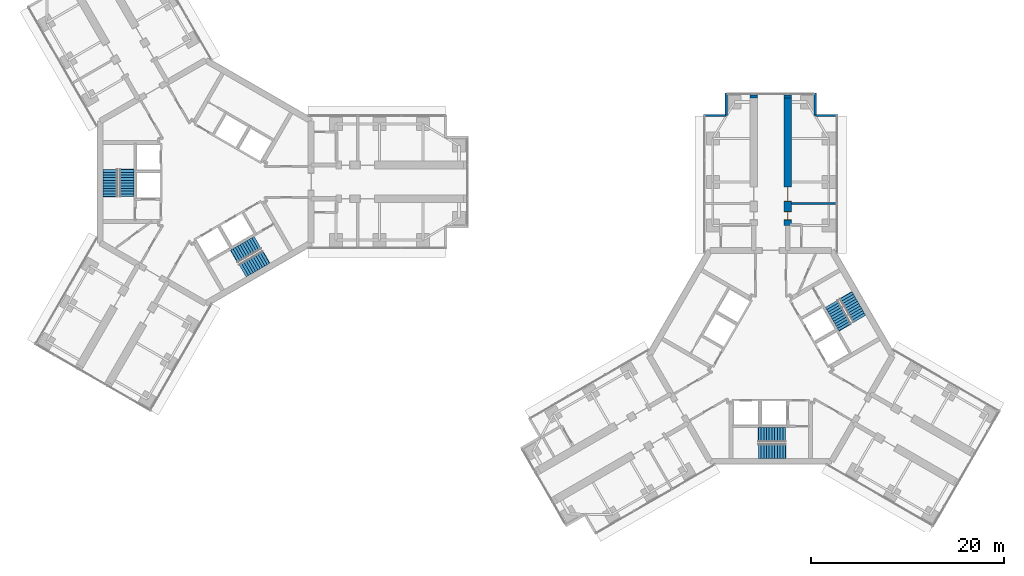
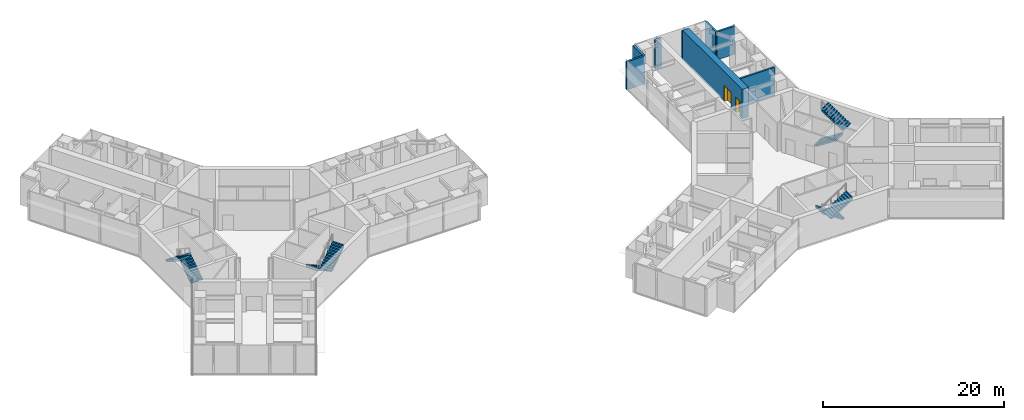
# One storey, part 20 of 21: 8 stair flights, 8 walls, 2 doors, 2 openings, 4 elements without a shape of their own.
"""IFC4 building model written with IfcOpenShell, lengths in metres."""

from ifc_helpers import new_model, si_unit, direction, frame, frame_2d, origin, place, context, subcontext, project, spatial, polyline, rectangle, outline, extrude, material, layer, layer_set, type_object, element, fill, aggregate, save


model = new_model("IFC4")

# Units and contexts
model_context = context("Model", 3, precision=1e-05, world=origin(), true_north=direction((0.0, 1.0)))
body_context = subcontext(model_context, "Body", "Model", "MODEL_VIEW")
ifc_project = project(units=[si_unit("LENGTHUNIT", "METRE"), si_unit("AREAUNIT", "SQUARE_METRE"), si_unit("VOLUMEUNIT", "CUBIC_METRE"), si_unit("PLANEANGLEUNIT", "RADIAN"), si_unit("MASSUNIT", "GRAM", prefix="KILO")], contexts=[model_context])

# Site, building, storey
site_placement = place(None, origin())
site = spatial("IfcSite", under=ifc_project, at=site_placement, CompositionType="ELEMENT")
building_placement = place(site_placement, origin())
building = spatial("IfcBuilding", under=site, at=building_placement, Name="Upepo Twin Towers", CompositionType="ELEMENT")
storey_placement = place(building_placement, frame((0.0, 0.0, 105.5)))
storey = spatial("IfcBuildingStorey", under=building, at=storey_placement, Name="L25", CompositionType="ELEMENT", Elevation=105.5)

# Walls
ifc_material_1 = material(Name="Concrete blockwork, plastered both faces", Category="masonry")
ifc_layer_1 = layer(ifc_material_1, 0.215087890625)
ifc_layer_set_1 = layer_set([ifc_layer_1], Name="Blockwork partition 215")
wall_type_1 = type_object("IfcWallType", Name="Blockwork partition 215", PredefinedType="PARTITIONING", material=ifc_layer_set_1)
wall_1_placement = place(storey_placement, frame((60.64990234375, -2.25, 0.0), z_axis=(0.0, 0.0, 1.0), x_axis=(1.0, 0.0, 0.0)))
element("IfcWall", 1, at=wall_1_placement, inside=storey, type_object=wall_type_1, Name="T2 partition AR at 15.75", PredefinedType="PARTITIONING", context=body_context, shape_type="SweptSolid", body=[
    extrude(rectangle(XDim=4.60009765625, YDim=0.215087890625, at=frame_2d((2.300048828125, 0.0))), origin(), (0.0, 0.0, 1.0), 3.800048828125),
])
ifc_material_2 = material(Name="Dense concrete blockwork", Category="masonry")
ifc_layer_2 = layer(ifc_material_2, 0.800048828125)
ifc_layer_set_2 = layer_set([ifc_layer_2], Name="Buttress closer 800, blockwork with fire-stopping to the curtain wall")
wall_type_2 = type_object("IfcWallType", Name="Buttress closer 800, blockwork with fire-stopping to the curtain wall", PredefinedType="PARTITIONING", material=ifc_layer_set_2)
for number, where, z_axis, x_axis, name in (
    (2, (56.75, 8.699951171875, 0.0), (0.0, 0.0, 1.0), (0.0, 1.0, 0.0), "T2 L25 wing A buttress closer L"),
    (3, (60.25, 8.699951171875, 0.0), (0.0, 0.0, 1.0), (0.0, 1.0, 0.0), "T2 L25 wing A buttress closer R"),
):
    element("IfcWall", number, at=place(storey_placement, frame(where, z_axis=z_axis, x_axis=x_axis)), inside=storey, type_object=wall_type_2, Name=name, PredefinedType="PARTITIONING", context=body_context, shape_type="SweptSolid", body=[
        extrude(rectangle(XDim=0.300048828125, YDim=0.800048828125, at=frame_2d((0.14990234375, 0.0))), origin(), (0.0, 0.0, 1.0), 3.800048828125),
    ])

# Wall, openings, doors
ifc_material_3 = material(Name="Concrete C60/75", Category="concrete")
ifc_layer_3 = layer(ifc_material_3, 0.800048828125)
ifc_layer_set_3 = layer_set([ifc_layer_3], Name="Concrete C60/75")
wall_type_3 = type_object("IfcWallType", Name="Buttress wall 800 RC", PredefinedType="SHEAR", material=ifc_layer_set_3)
wall_2_placement = place(storey_placement, frame((60.25, -4.5, 0.0), z_axis=(0.0, 0.0, 1.0), x_axis=(0.0, 1.0, 0.0)))
wall_2 = element("IfcWall", 4, at=wall_2_placement, inside=storey, type_object=wall_type_3, Name="T2 wing A buttress wall R part 2", PredefinedType="SHEAR", context=body_context, shape_type="SweptSolid", body=[
    extrude(rectangle(XDim=13.199951171875, YDim=0.800048828125, at=frame_2d((6.60009765625, 0.0))), origin(), (0.0, 0.0, 1.0), 4.0),
])
opening_1_placement = place(wall_2_placement, frame((0.550048828125, 0.0, 0.0)))
opening_1 = element("IfcOpeningElement", 5, at=opening_1_placement, cuts=wall_2, Name="Opening D11", PredefinedType="OPENING", context=body_context, shape_type="SweptSolid", body=[
    extrude(rectangle(XDim=0.89990234375, YDim=2.10009765625, at=frame_2d((0.449951171875, 1.050048828125))), frame((0.0, 0.409912109375, 0.0), z_axis=(0.0, -1.0, 0.0), x_axis=(1.0, 0.0, 0.0)), (0.0, 0.0, 1.0), 0.820068359375),
])
opening_2_placement = place(wall_2_placement, frame((2.5, 0.0, 0.0)))
opening_2 = element("IfcOpeningElement", 6, at=opening_2_placement, cuts=wall_2, Name="Opening D13", PredefinedType="OPENING", context=body_context, shape_type="SweptSolid", body=[
    extrude(rectangle(XDim=1.5, YDim=2.10009765625, at=frame_2d((0.75, 1.050048828125))), frame((0.0, 0.409912109375, 0.0), z_axis=(0.0, -1.0, 0.0), x_axis=(1.0, 0.0, 0.0)), (0.0, 0.0, 1.0), 0.820068359375),
])
ifc_material_4 = material(Name="Timber doorset", Category="wood")
door_type_1 = type_object("IfcDoorType", Name="Double door 1500 FD30", OperationType="DOUBLE_DOOR_SINGLE_SWING", PredefinedType="DOOR", material=ifc_material_4)
door_1_placement = place(opening_2_placement, origin())
door_1 = element("IfcDoor", 7, at=door_1_placement, inside=storey, type_object=door_type_1, Name="T2 L25 moot court door", OperationType="DOUBLE_DOOR_SINGLE_SWING", OverallHeight=2.10009765625, OverallWidth=1.5, PredefinedType="DOOR", context=body_context, shape_type="SweptSolid", body=[
    extrude(rectangle(XDim=1.42, YDim=2.06009765625, at=frame_2d((0.75, 1.030029296875))), frame((0.0, 0.02490234375, 0.0), z_axis=(0.0, -1.0, 0.0), x_axis=(1.0, 0.0, 0.0)), (0.0, 0.0, 1.0), 0.050048828125),
    extrude(rectangle(XDim=0.04, YDim=2.10009765625, at=frame_2d((0.02001953125, 1.050048828125))), frame((0.0, 0.39990234375, 0.0), z_axis=(0.0, -1.0, 0.0), x_axis=(1.0, 0.0, 0.0)), (0.0, 0.0, 1.0), 0.799560546875),
    extrude(rectangle(XDim=0.04, YDim=2.10009765625, at=frame_2d((1.47998046875, 1.050048828125))), frame((0.0, 0.39990234375, 0.0), z_axis=(0.0, -1.0, 0.0), x_axis=(1.0, 0.0, 0.0)), (0.0, 0.0, 1.0), 0.799560546875),
    extrude(rectangle(XDim=1.42, YDim=0.04, at=frame_2d((0.75, 2.080078125))), frame((0.0, 0.39990234375, 0.0), z_axis=(0.0, -1.0, 0.0), x_axis=(1.0, 0.0, 0.0)), (0.0, 0.0, 1.0), 0.799560546875),
])
fill(opening_2, door_1)
ifc_material_5 = material(Name="Timber doorset", Category="wood")
door_type_2 = type_object("IfcDoorType", Name="Toilet door 900", OperationType="SINGLE_SWING_LEFT", PredefinedType="DOOR", material=ifc_material_5)
door_2_placement = place(opening_1_placement, origin())
door_2 = element("IfcDoor", 8, at=door_2_placement, inside=storey, type_object=door_type_2, Name="T2 L25 toilets door", OperationType="SINGLE_SWING_LEFT", OverallHeight=2.10009765625, OverallWidth=0.89990234375, PredefinedType="DOOR", context=body_context, shape_type="SweptSolid", body=[
    extrude(rectangle(XDim=0.81990234375, YDim=2.06009765625, at=frame_2d((0.449951171875, 1.030029296875))), frame((0.0, 0.02490234375, 0.0), z_axis=(0.0, -1.0, 0.0), x_axis=(1.0, 0.0, 0.0)), (0.0, 0.0, 1.0), 0.050048828125),
    extrude(rectangle(XDim=0.04, YDim=2.10009765625, at=frame_2d((0.02001953125, 1.050048828125))), frame((0.0, 0.39990234375, 0.0), z_axis=(0.0, -1.0, 0.0), x_axis=(1.0, 0.0, 0.0)), (0.0, 0.0, 1.0), 0.799560546875),
    extrude(rectangle(XDim=0.04, YDim=2.10009765625, at=frame_2d((0.8798828125, 1.050048828125))), frame((0.0, 0.39990234375, 0.0), z_axis=(0.0, -1.0, 0.0), x_axis=(1.0, 0.0, 0.0)), (0.0, 0.0, 1.0), 0.799560546875),
    extrude(rectangle(XDim=0.81990234375, YDim=0.04, at=frame_2d((0.449951171875, 2.080078125))), frame((0.0, 0.39990234375, 0.0), z_axis=(0.0, -1.0, 0.0), x_axis=(1.0, 0.0, 0.0)), (0.0, 0.0, 1.0), 0.799560546875),
])
fill(opening_1, door_2)

# Walls
ifc_material_6 = material(Name="Blockwork with anodised aluminium cladding", Category="masonry")
ifc_layer_4 = layer(ifc_material_6, 0.25)
ifc_layer_set_4 = layer_set([ifc_layer_4], Name="Notch cladding wall 250, pale metal")
wall_type_4 = type_object("IfcWallType", Name="Notch cladding wall 250, pale metal", PredefinedType="STANDARD", material=ifc_layer_set_4)
for number, where, z_axis, x_axis, name in (
    (9, (51.550048828125, 6.875, 0.0), (0.0, 0.0, 1.0), (1.0, 0.0, 0.0), "T2 L25 wing A notch wall L1"),
    (10, (53.875, 6.875, 0.0), (0.0, 0.0, 1.0), (0.0, 1.0, 0.0), "T2 L25 wing A notch wall L2"),
    (11, (65.449951171875, 6.875, 0.0), (0.0, 0.0, 1.0), (-1.0, 0.0, 0.0), "T2 L25 wing A notch wall R1"),
    (12, (63.125, 6.875, 0.0), (0.0, 0.0, 1.0), (0.0, 1.0, 0.0), "T2 L25 wing A notch wall R2"),
):
    element("IfcWall", number, at=place(storey_placement, frame(where, z_axis=z_axis, x_axis=x_axis)), inside=storey, type_object=wall_type_4, Name=name, PredefinedType="STANDARD", context=body_context, shape_type="SweptSolid", body=[
        extrude(rectangle(XDim=2.324951171875, YDim=0.25, at=frame_2d((1.16259765625, 0.0))), origin(), (0.0, 0.0, 1.0), 3.800048828125),
    ])

# Stair, stair flights
ifc_material_7 = material(Name="Concrete C40/50", Category="concrete")
stair_type = type_object("IfcStairType", Name="Core stair, two flights", PredefinedType="HALF_TURN_STAIR", material=ifc_material_7)
stair_1_placement = place(storey_placement, origin())
stair_1 = element("IfcStair", 13, at=stair_1_placement, inside=storey, type_object=stair_type, Name="T1 stair S1 L25", PredefinedType="HALF_TURN_STAIR")
ifc_material_8 = material(Name="Concrete C40/50", Category="concrete")
stair_flight_type = type_object("IfcStairFlightType", Name="Stair flight 1500 RC", PredefinedType="STRAIGHT", material=ifc_material_8)
stair_flight_1_placement = place(storey_placement, frame((-8.14990234375, -1.52001953125, 0.0), z_axis=(0.0, 0.0, 1.0), x_axis=(0.0, 1.0, 0.0)))
stair_flight_1 = element("IfcStairFlight", 14, at=stair_flight_1_placement, type_object=stair_flight_type, Name="Stair S1 flight 1", NumberOfRisers=11, NumberOfTreads=10, PredefinedType="STRAIGHT", RiserHeight=0.181818182, TreadLength=0.28, context=body_context, shape_type="SweptSolid", body=[
    extrude(outline(polyline([(0.0, 0.0), (0.0, 0.181884765625), (0.280029296875, 0.181884765625), (0.280029296875, 0.363525390625), (0.56005859375, 0.363525390625), (0.56005859375, 0.54541015625), (0.840087890625, 0.54541015625), (0.840087890625, 0.727294921875), (1.1201171875, 0.727294921875), (1.1201171875, 0.9091796875), (1.39990234375, 0.9091796875), (1.39990234375, 1.0908203125), (1.679931640625, 1.0908203125), (1.679931640625, 1.272705078125), (1.9599609375, 1.272705078125), (1.9599609375, 1.45458984375), (2.239990234375, 1.45458984375), (2.239990234375, 1.636474609375), (2.52001953125, 1.636474609375), (2.52001953125, 1.818115234375), (2.800048828125, 1.818115234375), (2.800048828125, 2.0), (2.85009765625, 2.0), (2.85009765625, 1.639404296875), (0.3251953125, 0.0), (0.0, 0.0)])), frame((0.0, 0.75, 0.0), z_axis=(0.0, -1.0, 0.0), x_axis=(1.0, 0.0, 0.0)), (0.0, 0.0, 1.0), 1.5),
])
stair_flight_2_placement = place(storey_placement, frame((-9.8583984375, 1.280029296875, 2.0), z_axis=(0.0, 0.0, 1.0), x_axis=(0.0, -1.0, 0.0)))
stair_flight_2 = element("IfcStairFlight", 15, at=stair_flight_2_placement, type_object=stair_flight_type, Name="Stair S1 flight 2", NumberOfRisers=11, NumberOfTreads=10, PredefinedType="STRAIGHT", RiserHeight=0.181818182, TreadLength=0.28, context=body_context, shape_type="SweptSolid", body=[
    extrude(outline(polyline([(0.0, 0.0), (0.0, 0.181884765625), (0.280029296875, 0.181884765625), (0.280029296875, 0.363525390625), (0.56005859375, 0.363525390625), (0.56005859375, 0.54541015625), (0.840087890625, 0.54541015625), (0.840087890625, 0.727294921875), (1.1201171875, 0.727294921875), (1.1201171875, 0.9091796875), (1.39990234375, 0.9091796875), (1.39990234375, 1.0908203125), (1.679931640625, 1.0908203125), (1.679931640625, 1.272705078125), (1.9599609375, 1.272705078125), (1.9599609375, 1.45458984375), (2.239990234375, 1.45458984375), (2.239990234375, 1.636474609375), (2.52001953125, 1.636474609375), (2.52001953125, 1.818115234375), (2.800048828125, 1.818115234375), (2.800048828125, 2.0), (2.85009765625, 2.0), (2.85009765625, 1.639404296875), (0.3251953125, 0.0), (0.0, 0.0)])), frame((0.0, 0.75, 0.0), z_axis=(0.0, -1.0, 0.0), x_axis=(1.0, 0.0, 0.0)), (0.0, 0.0, 1.0), 1.5),
])
aggregate(stair_1, [stair_flight_1, stair_flight_2])

stair_2_placement = place(storey_placement, origin())
stair_2 = element("IfcStair", 16, at=stair_2_placement, inside=storey, type_object=stair_type, Name="T1 stair S2 L25", PredefinedType="HALF_TURN_STAIR")
stair_flight_3_placement = place(storey_placement, frame((5.391357421875, -6.298095703125, 0.0), z_axis=(0.0, 0.0, 1.0), x_axis=(-0.866025403784, -0.5, 0.0)))
stair_flight_3 = element("IfcStairFlight", 17, at=stair_flight_3_placement, type_object=stair_flight_type, Name="Stair S2 flight 1", NumberOfRisers=11, NumberOfTreads=10, PredefinedType="STRAIGHT", RiserHeight=0.181818182, TreadLength=0.28, context=body_context, shape_type="SweptSolid", body=[
    extrude(outline(polyline([(0.0, 0.0), (0.0, 0.181884765625), (0.280029296875, 0.181884765625), (0.280029296875, 0.363525390625), (0.56005859375, 0.363525390625), (0.56005859375, 0.54541015625), (0.840087890625, 0.54541015625), (0.840087890625, 0.727294921875), (1.1201171875, 0.727294921875), (1.1201171875, 0.9091796875), (1.39990234375, 0.9091796875), (1.39990234375, 1.0908203125), (1.679931640625, 1.0908203125), (1.679931640625, 1.272705078125), (1.9599609375, 1.272705078125), (1.9599609375, 1.45458984375), (2.239990234375, 1.45458984375), (2.239990234375, 1.636474609375), (2.52001953125, 1.636474609375), (2.52001953125, 1.818115234375), (2.800048828125, 1.818115234375), (2.800048828125, 2.0), (2.85009765625, 2.0), (2.85009765625, 1.639404296875), (0.3251953125, 0.0), (0.0, 0.0)])), frame((0.0, 0.75, 0.0), z_axis=(0.0, -1.0, 0.0), x_axis=(1.0, 0.0, 0.0)), (0.0, 0.0, 1.0), 1.5),
])
stair_flight_4_placement = place(storey_placement, frame((3.820556640625, -9.177490234375, 2.0), z_axis=(0.0, 0.0, 1.0), x_axis=(0.866025403784, 0.5, 0.0)))
stair_flight_4 = element("IfcStairFlight", 18, at=stair_flight_4_placement, type_object=stair_flight_type, Name="Stair S2 flight 2", NumberOfRisers=11, NumberOfTreads=10, PredefinedType="STRAIGHT", RiserHeight=0.181818182, TreadLength=0.28, context=body_context, shape_type="SweptSolid", body=[
    extrude(outline(polyline([(0.0, 0.0), (0.0, 0.181884765625), (0.280029296875, 0.181884765625), (0.280029296875, 0.363525390625), (0.56005859375, 0.363525390625), (0.56005859375, 0.54541015625), (0.840087890625, 0.54541015625), (0.840087890625, 0.727294921875), (1.1201171875, 0.727294921875), (1.1201171875, 0.9091796875), (1.39990234375, 0.9091796875), (1.39990234375, 1.0908203125), (1.679931640625, 1.0908203125), (1.679931640625, 1.272705078125), (1.9599609375, 1.272705078125), (1.9599609375, 1.45458984375), (2.239990234375, 1.45458984375), (2.239990234375, 1.636474609375), (2.52001953125, 1.636474609375), (2.52001953125, 1.818115234375), (2.800048828125, 1.818115234375), (2.800048828125, 2.0), (2.85009765625, 2.0), (2.85009765625, 1.639404296875), (0.3251953125, 0.0), (0.0, 0.0)])), frame((0.0, 0.75, 0.0), z_axis=(0.0, -1.0, 0.0), x_axis=(1.0, 0.0, 0.0)), (0.0, 0.0, 1.0), 1.5),
])
aggregate(stair_2, [stair_flight_3, stair_flight_4])

stair_3_placement = place(storey_placement, origin())
stair_3 = element("IfcStair", 19, at=stair_3_placement, inside=storey, type_object=stair_type, Name="T2 stair S1 L25", PredefinedType="HALF_TURN_STAIR")
stair_flight_5_placement = place(storey_placement, frame((60.02001953125, -26.14990234375, 0.0), z_axis=(0.0, 0.0, 1.0), x_axis=(-1.0, 0.0, 0.0)))
stair_flight_5 = element("IfcStairFlight", 20, at=stair_flight_5_placement, type_object=stair_flight_type, Name="Stair S1 flight 1", NumberOfRisers=11, NumberOfTreads=10, PredefinedType="STRAIGHT", RiserHeight=0.181818182, TreadLength=0.28, context=body_context, shape_type="SweptSolid", body=[
    extrude(outline(polyline([(0.0, 0.0), (0.0, 0.181884765625), (0.280029296875, 0.181884765625), (0.280029296875, 0.363525390625), (0.56005859375, 0.363525390625), (0.56005859375, 0.54541015625), (0.840087890625, 0.54541015625), (0.840087890625, 0.727294921875), (1.1201171875, 0.727294921875), (1.1201171875, 0.9091796875), (1.39990234375, 0.9091796875), (1.39990234375, 1.0908203125), (1.679931640625, 1.0908203125), (1.679931640625, 1.272705078125), (1.9599609375, 1.272705078125), (1.9599609375, 1.45458984375), (2.239990234375, 1.45458984375), (2.239990234375, 1.636474609375), (2.52001953125, 1.636474609375), (2.52001953125, 1.818115234375), (2.800048828125, 1.818115234375), (2.800048828125, 2.0), (2.85009765625, 2.0), (2.85009765625, 1.639404296875), (0.3251953125, 0.0), (0.0, 0.0)])), frame((0.0, 0.75, 0.0), z_axis=(0.0, -1.0, 0.0), x_axis=(1.0, 0.0, 0.0)), (0.0, 0.0, 1.0), 1.5),
])
stair_flight_6_placement = place(storey_placement, frame((57.219970703125, -27.8583984375, 2.0), z_axis=(0.0, 0.0, 1.0), x_axis=(1.0, 0.0, 0.0)))
stair_flight_6 = element("IfcStairFlight", 21, at=stair_flight_6_placement, type_object=stair_flight_type, Name="Stair S1 flight 2", NumberOfRisers=11, NumberOfTreads=10, PredefinedType="STRAIGHT", RiserHeight=0.181818182, TreadLength=0.28, context=body_context, shape_type="SweptSolid", body=[
    extrude(outline(polyline([(0.0, 0.0), (0.0, 0.181884765625), (0.280029296875, 0.181884765625), (0.280029296875, 0.363525390625), (0.56005859375, 0.363525390625), (0.56005859375, 0.54541015625), (0.840087890625, 0.54541015625), (0.840087890625, 0.727294921875), (1.1201171875, 0.727294921875), (1.1201171875, 0.9091796875), (1.39990234375, 0.9091796875), (1.39990234375, 1.0908203125), (1.679931640625, 1.0908203125), (1.679931640625, 1.272705078125), (1.9599609375, 1.272705078125), (1.9599609375, 1.45458984375), (2.239990234375, 1.45458984375), (2.239990234375, 1.636474609375), (2.52001953125, 1.636474609375), (2.52001953125, 1.818115234375), (2.800048828125, 1.818115234375), (2.800048828125, 2.0), (2.85009765625, 2.0), (2.85009765625, 1.639404296875), (0.3251953125, 0.0), (0.0, 0.0)])), frame((0.0, 0.75, 0.0), z_axis=(0.0, -1.0, 0.0), x_axis=(1.0, 0.0, 0.0)), (0.0, 0.0, 1.0), 1.5),
])
aggregate(stair_3, [stair_flight_5, stair_flight_6])

stair_4_placement = place(storey_placement, origin())
stair_4 = element("IfcStair", 22, at=stair_4_placement, inside=storey, type_object=stair_type, Name="T2 stair S2 L25", PredefinedType="HALF_TURN_STAIR")
stair_flight_7_placement = place(storey_placement, frame((64.798095703125, -12.608642578125, 0.0), z_axis=(0.0, 0.0, 1.0), x_axis=(0.5, -0.866025403784, 0.0)))
stair_flight_7 = element("IfcStairFlight", 23, at=stair_flight_7_placement, type_object=stair_flight_type, Name="Stair S2 flight 1", NumberOfRisers=11, NumberOfTreads=10, PredefinedType="STRAIGHT", RiserHeight=0.181818182, TreadLength=0.28, context=body_context, shape_type="SweptSolid", body=[
    extrude(outline(polyline([(0.0, 0.0), (0.0, 0.181884765625), (0.280029296875, 0.181884765625), (0.280029296875, 0.363525390625), (0.56005859375, 0.363525390625), (0.56005859375, 0.54541015625), (0.840087890625, 0.54541015625), (0.840087890625, 0.727294921875), (1.1201171875, 0.727294921875), (1.1201171875, 0.9091796875), (1.39990234375, 0.9091796875), (1.39990234375, 1.0908203125), (1.679931640625, 1.0908203125), (1.679931640625, 1.272705078125), (1.9599609375, 1.272705078125), (1.9599609375, 1.45458984375), (2.239990234375, 1.45458984375), (2.239990234375, 1.636474609375), (2.52001953125, 1.636474609375), (2.52001953125, 1.818115234375), (2.800048828125, 1.818115234375), (2.800048828125, 2.0), (2.85009765625, 2.0), (2.85009765625, 1.639404296875), (0.3251953125, 0.0), (0.0, 0.0)])), frame((0.0, 0.75, 0.0), z_axis=(0.0, -1.0, 0.0), x_axis=(1.0, 0.0, 0.0)), (0.0, 0.0, 1.0), 1.5),
])
stair_flight_8_placement = place(storey_placement, frame((67.677490234375, -14.179443359375, 2.0), z_axis=(0.0, 0.0, 1.0), x_axis=(-0.5, 0.866025403784, 0.0)))
stair_flight_8 = element("IfcStairFlight", 24, at=stair_flight_8_placement, type_object=stair_flight_type, Name="Stair S2 flight 2", NumberOfRisers=11, NumberOfTreads=10, PredefinedType="STRAIGHT", RiserHeight=0.181818182, TreadLength=0.28, context=body_context, shape_type="SweptSolid", body=[
    extrude(outline(polyline([(0.0, 0.0), (0.0, 0.181884765625), (0.280029296875, 0.181884765625), (0.280029296875, 0.363525390625), (0.56005859375, 0.363525390625), (0.56005859375, 0.54541015625), (0.840087890625, 0.54541015625), (0.840087890625, 0.727294921875), (1.1201171875, 0.727294921875), (1.1201171875, 0.9091796875), (1.39990234375, 0.9091796875), (1.39990234375, 1.0908203125), (1.679931640625, 1.0908203125), (1.679931640625, 1.272705078125), (1.9599609375, 1.272705078125), (1.9599609375, 1.45458984375), (2.239990234375, 1.45458984375), (2.239990234375, 1.636474609375), (2.52001953125, 1.636474609375), (2.52001953125, 1.818115234375), (2.800048828125, 1.818115234375), (2.800048828125, 2.0), (2.85009765625, 2.0), (2.85009765625, 1.639404296875), (0.3251953125, 0.0), (0.0, 0.0)])), frame((0.0, 0.75, 0.0), z_axis=(0.0, -1.0, 0.0), x_axis=(1.0, 0.0, 0.0)), (0.0, 0.0, 1.0), 1.5),
])
aggregate(stair_4, [stair_flight_7, stair_flight_8])

save(model, "model.ifc")
